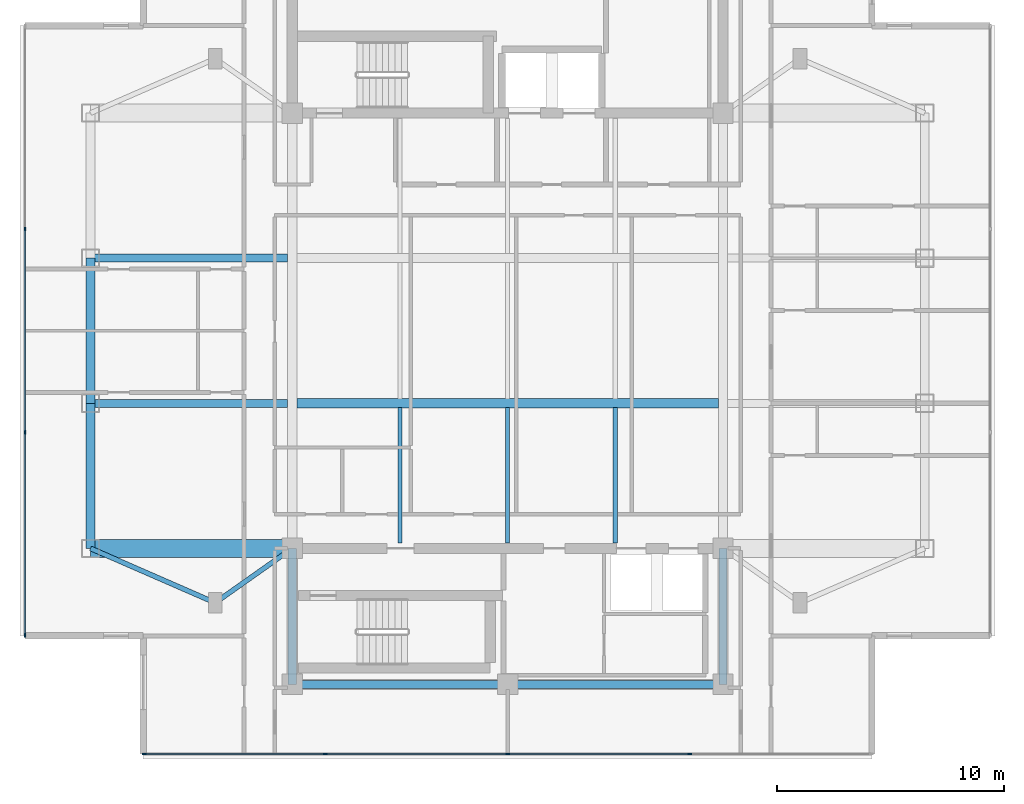
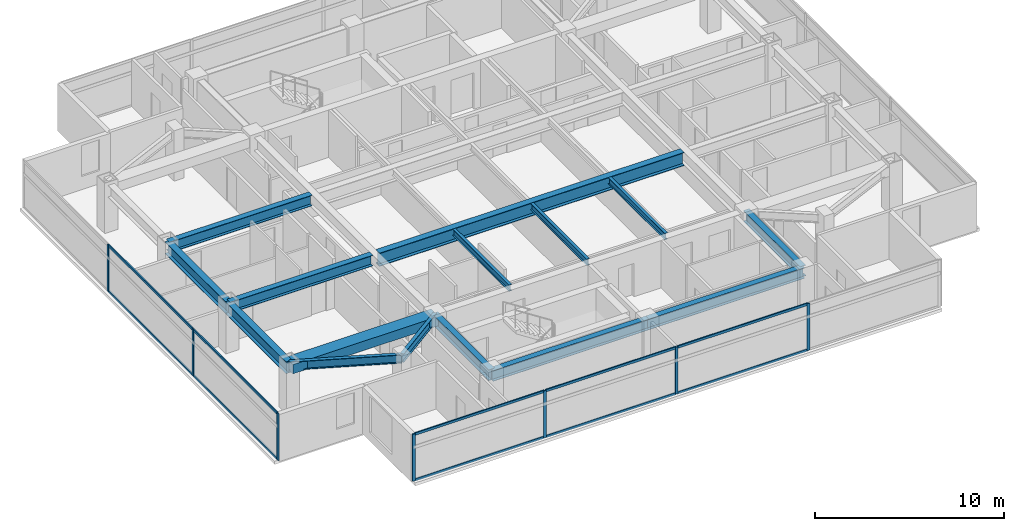
# One storey, part 2 of 21: 17 members, 15 beams, 2 elements without a shape of their own.
"""IFC4 building model written with IfcOpenShell, lengths in metres."""

import ifcopenshell
import ifcopenshell.guid

model = None  # the IFC model being written
_history = None  # IfcOwnerHistory: only IFC2X3 demands one
_inside = {}  # id of a spatial element -> (the spatial element, [elements in it])
_under = {}  # id of a project, library or spatial element -> (it, [spatial elements below it])
_declared = {}  # id of a project -> (the project, [libraries it declares])
_typed = {}  # id of a type object -> (the type object, [elements of that type])
_made_of = {}  # id of a material, layer set ... -> (it, [elements and type objects made of it])


def new_model(schema):
    """Start an empty IFC model of exactly this schema.

    Asked for "IFC4X3", IfcOpenShell would pick the latest addendum, in which some entities
    have other attributes; the version numbers below select the first issue.
    IFC2X3 requires an IfcOwnerHistory on every rooted entity: one is made here for all.
    """
    global model, _history
    if schema == "IFC4X3":
        model = ifcopenshell.file(schema_version=(4, 3, 0, 0))
    else:
        model = ifcopenshell.file(schema=schema)
    _inside.clear()
    _under.clear()
    _declared.clear()
    _typed.clear()
    _made_of.clear()
    _history = None
    if model.schema == "IFC2X3":
        org = make("IfcOrganization", Name="unknown")
        user = make(
            "IfcPersonAndOrganization",
            ThePerson=make("IfcPerson", FamilyName="unknown"),
            TheOrganization=org,
        )
        app = make(
            "IfcApplication",
            ApplicationDeveloper=org,
            Version="unknown",
            ApplicationFullName="unknown",
            ApplicationIdentifier="unknown",
        )
        _history = make(
            "IfcOwnerHistory",
            OwningUser=user,
            OwningApplication=app,
            ChangeAction="ADDED",
            CreationDate=0,
        )
    return model


def make(cls, **values):
    """One entity of the class cls with the attributes given. An attribute that is None is left unset."""
    return model.create_entity(
        cls, **{name: value for name, value in values.items() if value is not None}
    )


def rooted(cls, **values):
    """An entity with a GlobalId (a new one), such as an element, a storey or a relation."""
    return make(cls, GlobalId=ifcopenshell.guid.new(), OwnerHistory=_history, **values)


def si_unit(unit_type, name, prefix=None):
    """IfcSIUnit, for example si_unit("LENGTHUNIT", "METRE", prefix="MILLI")."""
    return make("IfcSIUnit", UnitType=unit_type, Prefix=prefix, Name=name)


def assignment(units):
    """IfcUnitAssignment: the units of a project."""
    return None if units is None else make("IfcUnitAssignment", Units=units)


def point(xyz):
    """IfcCartesianPoint."""
    return None if xyz is None else make("IfcCartesianPoint", Coordinates=xyz)


def direction(xyz):
    """IfcDirection."""
    return None if xyz is None else make("IfcDirection", DirectionRatios=xyz)


def frame(location, z_axis=None, x_axis=None):
    """IfcAxis2Placement3D, a coordinate frame: its origin and axes. An axis left out is left unset."""
    return make(
        "IfcAxis2Placement3D",
        Location=point(location),
        Axis=direction(z_axis),
        RefDirection=direction(x_axis),
    )


def frame_2d(location, x_axis=None):
    """IfcAxis2Placement2D, a coordinate frame in the plane: its origin and x axis."""
    return make(
        "IfcAxis2Placement2D", Location=point(location), RefDirection=direction(x_axis)
    )


def origin():
    """The frame at (0, 0, 0) with its axes left unset."""
    return frame((0.0, 0.0, 0.0))


def origin_2d():
    """The frame at (0, 0) in the plane with its x axis left unset."""
    return frame_2d((0.0, 0.0))


def place(relative_to, where):
    """IfcLocalPlacement: puts the frame where relative to a parent placement (None: the world)."""
    return make(
        "IfcLocalPlacement", PlacementRelTo=relative_to, RelativePlacement=where
    )


def context(
    kind, dimensions, precision=None, world=None, true_north=None, identifier=None
):
    """IfcGeometricRepresentationContext, for example the 3D "Model" context."""
    return make(
        "IfcGeometricRepresentationContext",
        ContextIdentifier=identifier,
        ContextType=kind,
        CoordinateSpaceDimension=dimensions,
        Precision=precision,
        WorldCoordinateSystem=world,
        TrueNorth=true_north,
    )


def subcontext(parent, identifier, kind, view, scale=None):
    """IfcGeometricRepresentationSubContext, for example "Body" below "Model"."""
    return make(
        "IfcGeometricRepresentationSubContext",
        ContextIdentifier=identifier,
        ContextType=kind,
        ParentContext=parent,
        TargetScale=scale,
        TargetView=view,
    )


def project(units=None, contexts=None):
    """IfcProject with its units and contexts."""
    return rooted(
        "IfcProject",
        Name="project",
        RepresentationContexts=contexts,
        UnitsInContext=assignment(units),
    )


def spatial(cls, under=None, at=None, **own):
    """A site, building, storey or space (cls), placed at a placement, below another one or the project."""
    s = rooted(cls, ObjectPlacement=at, **own)
    if under is not None:
        _under.setdefault(under.id(), (under, []))[1].append(s)
    return s


def profile(cls, at=None, kind="AREA", **sizes):
    """A parametric profile (cls). Its sizes go by their IFC names, for example OverallWidth=200.0."""
    return make(cls, ProfileType=kind, Position=at, **sizes)


def rectangle(**sizes):
    """IfcRectangleProfileDef."""
    return profile("IfcRectangleProfileDef", **sizes)


def i_section(**sizes):
    """IfcIShapeProfileDef."""
    return profile("IfcIShapeProfileDef", **sizes)


def extrude(swept, where, along, depth):
    """IfcExtrudedAreaSolid: the profile swept, set in the frame where, extruded along a direction by depth."""
    return make(
        "IfcExtrudedAreaSolid",
        SweptArea=swept,
        Position=where,
        ExtrudedDirection=direction(along),
        Depth=depth,
    )


def shape(context_of_items, identifier, shape_type, items):
    """IfcShapeRepresentation: the items that make up one representation, for example the "Body"."""
    return make(
        "IfcShapeRepresentation",
        ContextOfItems=context_of_items,
        RepresentationIdentifier=identifier,
        RepresentationType=shape_type,
        Items=items,
    )


def material(Name=None, Category=None):
    """IfcMaterial."""
    return make("IfcMaterial", Name=Name, Category=Category)


def material_profile(
    of_material, cross_section, Name=None, Category=None, Priority=None
):
    """IfcMaterialProfile: a cross section and its material."""
    return make(
        "IfcMaterialProfile",
        Name=Name,
        Material=of_material,
        Profile=cross_section,
        Priority=Priority,
        Category=Category,
    )


def profile_set(profiles, Name=None, composite=None):
    """IfcMaterialProfileSet."""
    return make(
        "IfcMaterialProfileSet",
        Name=Name,
        MaterialProfiles=profiles,
        CompositeProfile=composite,
    )


def made_of(thing, what):
    """Note that an element or type object is made of a material, layer set ...; save() writes the relation."""
    if what is not None:
        _made_of.setdefault(what.id(), (what, []))[1].append(thing)
    return thing


def type_object(cls, material=None, **own):
    """A type object (cls), such as IfcWallType, which elements share."""
    return made_of(rooted(cls, **own), material)


def element(
    cls,
    number,
    at=None,
    inside=None,
    cuts=None,
    type_object=None,
    material=None,
    context=None,
    identifier="Body",
    shape_type=None,
    held_by="IfcProductDefinitionShape",
    body=None,
    shapes=None,
    **own,
):
    """One element of the class cls, such as IfcWall. Its Tag is "e" and its number.

    at: its placement. inside: the storey or other place that contains it. cuts: it is an
    opening in that element (IfcRelVoidsElement). A single representation is given by context,
    identifier, shape_type and body (its items); several are given by shapes. held_by: the class
    of the entity that holds the representations. save() writes the other relations.
    """
    e = rooted(cls, Tag="e%d" % number, ObjectPlacement=at, **own)
    if body is not None:
        shapes = [shape(context, identifier, shape_type, body)]
    if shapes is not None:
        e.Representation = make(held_by, Representations=shapes)
    if inside is not None:
        _inside.setdefault(inside.id(), (inside, []))[1].append(e)
    if cuts is not None:
        rooted(
            "IfcRelVoidsElement", RelatingBuildingElement=cuts, RelatedOpeningElement=e
        )
    if type_object is not None:
        _typed.setdefault(type_object.id(), (type_object, []))[1].append(e)
    return made_of(e, material)


def aggregate(whole, parts):
    """IfcRelAggregates: a whole, such as a stair, and the parts it consists of."""
    return rooted("IfcRelAggregates", RelatingObject=whole, RelatedObjects=parts)


def save(model, path):
    """Write the relations noted so far, then the file.

    IfcRelAggregates (storeys below a building ...), IfcRelContainedInSpatialStructure (elements
    in a storey), IfcRelDefinesByType, IfcRelAssociatesMaterial and IfcRelDeclares: one each for
    every whole, place, type object, material and project.
    """
    for whole, parts in _under.values():
        aggregate(whole, parts)
    for where, things in _inside.values():
        rooted(
            "IfcRelContainedInSpatialStructure",
            RelatedElements=things,
            RelatingStructure=where,
        )
    for kind, things in _typed.values():
        rooted("IfcRelDefinesByType", RelatedObjects=things, RelatingType=kind)
    for what, things in _made_of.values():
        rooted("IfcRelAssociatesMaterial", RelatedObjects=things, RelatingMaterial=what)
    for by, libraries in _declared.values():
        rooted("IfcRelDeclares", RelatingContext=by, RelatedDefinitions=libraries)
    model.write(path)


model = new_model("IFC4")

# Units and contexts
model_context = context("Model", 3, precision=1e-05, world=origin(), true_north=direction((0.0, 1.0)))
body_context = subcontext(model_context, "Body", "Model", "MODEL_VIEW")
ifc_project = project(units=[si_unit("LENGTHUNIT", "METRE"), si_unit("AREAUNIT", "SQUARE_METRE"), si_unit("VOLUMEUNIT", "CUBIC_METRE"), si_unit("PLANEANGLEUNIT", "RADIAN"), si_unit("MASSUNIT", "GRAM", prefix="KILO")], contexts=[model_context])

# Site, building, storey
site_placement = place(None, origin())
site = spatial("IfcSite", under=ifc_project, at=site_placement, CompositionType="ELEMENT")
building_placement = place(site_placement, origin())
building = spatial("IfcBuilding", under=site, at=building_placement, Name="Mirazonda Arch Towers", CompositionType="ELEMENT")
storey_placement = place(building_placement, frame((0.0, 0.0, 206.39990234375)))
storey = spatial("IfcBuildingStorey", under=building, at=storey_placement, Name="L59", CompositionType="ELEMENT", Elevation=206.39990234375)

# Beams
ifc_material_1 = material(Name="Steel ASTM A992 Grade 50", Category="steel")
ifc_material_profile_1 = material_profile(ifc_material_1, i_section(OverallWidth=0.381103515625, OverallDepth=0.77294921875, WebThickness=0.0166015625, FlangeThickness=0.027099609375, at=origin_2d()), Name="W30X173")
ifc_profile_set_1 = profile_set([ifc_material_profile_1], Name="Steel ASTM A992 Grade 50")
beam_type_1 = type_object("IfcBeamType", Name="BM-EXT-W30X173", PredefinedType="USERDEFINED", material=ifc_profile_set_1)
beam_1_placement = place(storey_placement, frame((2.10009765625, 18.39990234375, 2.66357421875), z_axis=(0.0, 1.0, 0.0), x_axis=(-1.0, 0.0, 0.0)))
element("IfcBeam", 1, at=beam_1_placement, inside=storey, type_object=beam_type_1, Name="L59 Floor Beam BM-T1-L59-NS-W-18", ObjectType="GIRDER", PredefinedType="USERDEFINED", context=body_context, shape_type="SweptSolid", body=[
    extrude(i_section(OverallWidth=0.381103515625, OverallDepth=0.77294921875, WebThickness=0.0166015625, FlangeThickness=0.027099609375, at=origin_2d()), origin(), (0.0, 0.0, 1.0), 6.400146484375),
])
beam_2_placement = place(storey_placement, frame((2.10009765625, 24.800048828125, 2.66357421875), z_axis=(0.0, 1.0, 0.0), x_axis=(-1.0, 0.0, 0.0)))
element("IfcBeam", 2, at=beam_2_placement, inside=storey, type_object=beam_type_1, Name="L59 Floor Beam BM-T1-L59-NS-W-24", ObjectType="GIRDER", PredefinedType="USERDEFINED", context=body_context, shape_type="SweptSolid", body=[
    extrude(i_section(OverallWidth=0.381103515625, OverallDepth=0.77294921875, WebThickness=0.0166015625, FlangeThickness=0.027099609375, at=origin_2d()), origin(), (0.0, 0.0, 1.0), 6.39990234375),
])
ifc_material_profile_2 = material_profile(ifc_material_1, i_section(OverallWidth=0.180908203125, OverallDepth=0.4169921875, WebThickness=0.010986328125, FlangeThickness=0.018310546875, at=origin_2d()), Name="W16X57")
ifc_profile_set_2 = profile_set([ifc_material_profile_2], Name="Steel ASTM A992 Grade 50")
beam_type_2 = type_object("IfcBeamType", Name="BM-INT-W16X57", PredefinedType="JOIST", material=ifc_profile_set_2)
for number, where, z_axis, x_axis, name in (
    (3, (15.75, 18.639892578125, 2.841552734375), (0.0, 1.0, 0.0), (-1.0, 0.0, 0.0), "L59 Floor Beam BM-T1-L59-J-157-18"),
    (4, (20.5, 18.639892578125, 2.841552734375), (0.0, 1.0, 0.0), (-1.0, 0.0, 0.0), "L59 Floor Beam BM-T1-L59-J-205-18"),
    (5, (25.25, 18.639892578125, 2.841552734375), (0.0, 1.0, 0.0), (-1.0, 0.0, 0.0), "L59 Floor Beam BM-T1-L59-J-252-18"),
):
    element("IfcBeam", number, at=place(storey_placement, frame(where, z_axis=z_axis, x_axis=x_axis)), inside=storey, type_object=beam_type_2, Name=name, PredefinedType="JOIST", context=body_context, shape_type="SweptSolid", body=[
        extrude(i_section(OverallWidth=0.180908203125, OverallDepth=0.4169921875, WebThickness=0.010986328125, FlangeThickness=0.018310546875, at=origin_2d()), origin(), (0.0, 0.0, 1.0), 5.964111328125),
    ])
ifc_material_profile_3 = material_profile(ifc_material_1, i_section(OverallWidth=0.214111328125, OverallDepth=0.549072265625, WebThickness=0.0146484375, FlangeThickness=0.023681640625, at=origin_2d()), Name="W21X93")
ifc_profile_set_3 = profile_set([ifc_material_profile_3], Name="Steel ASTM A992 Grade 50")
beam_type_3 = type_object("IfcBeamType", Name="BM-INT-W21X93", PredefinedType="BEAM", material=ifc_profile_set_3)
beam_3_placement = place(storey_placement, frame((7.60009765625, 16.0, 2.775634765625), z_axis=(0.816971114901, 0.576678591087, 0.0), x_axis=(-0.576678591087, 0.816971114901, 0.0)))
element("IfcBeam", 6, at=beam_3_placement, inside=storey, type_object=beam_type_3, Name="L59 Floor Beam BM-T1-L59-PL-SW1", PredefinedType="BEAM", context=body_context, shape_type="SweptSolid", body=[
    extrude(i_section(OverallWidth=0.214111328125, OverallDepth=0.549072265625, WebThickness=0.0146484375, FlangeThickness=0.023681640625, at=origin_2d()), origin(), (0.0, 0.0, 1.0), 4.16162109375),
])
beam_4_placement = place(storey_placement, frame((7.60009765625, 16.0, 2.775634765625), z_axis=(-0.916545343703, 0.399930785183, 0.0), x_axis=(-0.399930785183, -0.916545343703, 0.0)))
element("IfcBeam", 7, at=beam_4_placement, inside=storey, type_object=beam_type_3, Name="L59 Floor Beam BM-T1-L59-PL-SW2", PredefinedType="BEAM", context=body_context, shape_type="SweptSolid", body=[
    extrude(i_section(OverallWidth=0.214111328125, OverallDepth=0.549072265625, WebThickness=0.0146484375, FlangeThickness=0.023681640625, at=origin_2d()), origin(), (0.0, 0.0, 1.0), 6.000732421875),
])
ifc_material_profile_4 = material_profile(ifc_material_1, i_section(OverallWidth=0.35498046875, OverallDepth=0.696044921875, WebThickness=0.015380859375, FlangeThickness=0.02490234375, at=origin_2d()), Name="W27X146")
ifc_profile_set_4 = profile_set([ifc_material_profile_4], Name="Steel ASTM A992 Grade 50")
beam_type_4 = type_object("IfcBeamType", Name="BM-INT-W27X146", PredefinedType="BEAM", material=ifc_profile_set_4)
for number, where, z_axis, x_axis, name in (
    (8, (2.10009765625, 24.800048828125, 2.7021484375), (1.0, 0.0, 0.0), (0.0, 1.0, 0.0), "L59 Floor Beam BM-T1-L59-GW2"),
    (9, (2.10009765625, 31.199951171875, 2.7021484375), (1.0, 0.0, 0.0), (0.0, 1.0, 0.0), "L59 Floor Beam BM-T1-L59-GW3"),
):
    element("IfcBeam", number, at=place(storey_placement, frame(where, z_axis=z_axis, x_axis=x_axis)), inside=storey, type_object=beam_type_4, Name=name, PredefinedType="BEAM", context=body_context, shape_type="SweptSolid", body=[
        extrude(i_section(OverallWidth=0.35498046875, OverallDepth=0.696044921875, WebThickness=0.015380859375, FlangeThickness=0.02490234375, at=origin_2d()), origin(), (0.0, 0.0, 1.0), 8.699951171875),
    ])
for number, where, z_axis, x_axis, name in (
    (10, (11.0, 12.39990234375, 2.7021484375), (1.0, 0.0, 0.0), (0.0, 1.0, 0.0), "L59 Floor Beam BM-T1-L59-CS1"),
    (11, (20.5, 12.39990234375, 2.7021484375), (1.0, 0.0, 0.0), (0.0, 1.0, 0.0), "L59 Floor Beam BM-T1-L59-CS2"),
):
    element("IfcBeam", number, at=place(storey_placement, frame(where, z_axis=z_axis, x_axis=x_axis)), inside=storey, type_object=beam_type_4, Name=name, PredefinedType="BEAM", context=body_context, shape_type="SweptSolid", body=[
        extrude(i_section(OverallWidth=0.35498046875, OverallDepth=0.696044921875, WebThickness=0.015380859375, FlangeThickness=0.02490234375, at=origin_2d()), origin(), (0.0, 0.0, 1.0), 9.5),
    ])
for number, where, z_axis, x_axis, name in (
    (12, (11.0, 12.39990234375, 2.7021484375), (0.0, 1.0, 0.0), (-1.0, 0.0, 0.0), "L59 Floor Beam BM-T1-L59-CSW"),
    (13, (30.0, 12.39990234375, 2.7021484375), (0.0, 1.0, 0.0), (-1.0, 0.0, 0.0), "L59 Floor Beam BM-T1-L59-CSE"),
):
    element("IfcBeam", number, at=place(storey_placement, frame(where, z_axis=z_axis, x_axis=x_axis)), inside=storey, type_object=beam_type_4, Name=name, PredefinedType="BEAM", context=body_context, shape_type="SweptSolid", body=[
        extrude(i_section(OverallWidth=0.35498046875, OverallDepth=0.696044921875, WebThickness=0.015380859375, FlangeThickness=0.02490234375, at=origin_2d()), origin(), (0.0, 0.0, 1.0), 6.0),
    ])
ifc_material_profile_5 = material_profile(ifc_material_1, i_section(OverallWidth=0.39990234375, OverallDepth=0.85595703125, WebThickness=0.018310546875, FlangeThickness=0.029296875, at=origin_2d()), Name="W33X201")
ifc_profile_set_5 = profile_set([ifc_material_profile_5], Name="Steel ASTM A992 Grade 50")
beam_type_5 = type_object("IfcBeamType", Name="BM-INT-W33X201", PredefinedType="USERDEFINED", material=ifc_profile_set_5)
beam_5_placement = place(storey_placement, frame((11.199951171875, 24.800048828125, 2.6220703125), z_axis=(1.0, 0.0, 0.0), x_axis=(0.0, 1.0, 0.0)))
element("IfcBeam", 14, at=beam_5_placement, inside=storey, type_object=beam_type_5, Name="L59 Floor Beam BM-T1-L59-GC2", ObjectType="GIRDER", PredefinedType="USERDEFINED", context=body_context, shape_type="SweptSolid", body=[
    extrude(i_section(OverallWidth=0.39990234375, OverallDepth=0.85595703125, WebThickness=0.018310546875, FlangeThickness=0.029296875, at=origin_2d()), origin(), (0.0, 0.0, 1.0), 18.60009765625),
])
ifc_material_2 = material(Name="Concrete C60/75", Category="concrete")
ifc_material_profile_6 = material_profile(ifc_material_2, rectangle(XDim=0.800048828125, YDim=0.60009765625, at=origin_2d()), Name="RCCB800x600")
ifc_profile_set_6 = profile_set([ifc_material_profile_6], Name="Concrete C60/75")
beam_type_6 = type_object("IfcBeamType", Name="CB-INT-RCCB800x600", PredefinedType="SPANDREL", material=ifc_profile_set_6)
beam_6_placement = place(storey_placement, frame((2.10009765625, 18.39990234375, 2.75), z_axis=(1.0, 0.0, 0.0), x_axis=(0.0, 1.0, 0.0)))
element("IfcBeam", 15, at=beam_6_placement, inside=storey, type_object=beam_type_6, Name="L59 Floor Beam CBC-T1-L59-SW", PredefinedType="SPANDREL", context=body_context, shape_type="SweptSolid", body=[
    extrude(rectangle(XDim=0.800048828125, YDim=0.60009765625, at=origin_2d()), origin(), (0.0, 0.0, 1.0), 8.89990234375),
])

# Curtain wall, members
ifc_material_3 = material(Name="Anodised Aluminium and Low-E Glass", Category="aluminium")
curtain_wall_type = type_object("IfcCurtainWallType", Name="CW-RES-UNIT", PredefinedType="NOTDEFINED", material=ifc_material_3)
curtain_wall_1_placement = place(storey_placement, origin())
curtain_wall_1 = element("IfcCurtainWall", 16, at=curtain_wall_1_placement, inside=storey, type_object=curtain_wall_type, Name="L59 T1 S Facade CW-L59-T1-S", PredefinedType="NOTDEFINED")
ifc_material_4 = material(Name="Anodised Aluminium Alloy", Category="aluminium")
ifc_material_profile_7 = material_profile(ifc_material_4, rectangle(XDim=0.074951171875, YDim=0.175048828125, at=origin_2d()), Name="ALU-MULL-75x175")
ifc_profile_set_7 = profile_set([ifc_material_profile_7], Name="Anodised Aluminium Alloy")
member_type_1 = type_object("IfcMemberType", Name="MULL-CW-RES-UNIT", PredefinedType="MULLION", material=ifc_profile_set_7)
member_1_placement = place(storey_placement, frame((28.53759765625, 9.323974609375, 0.0), z_axis=(0.0, 0.0, 1.0), x_axis=(0.0, -1.0, 0.0)))
member_1 = element("IfcMember", 17, at=member_1_placement, type_object=member_type_1, Name="CW-104 mullion 2", PredefinedType="MULLION", context=body_context, shape_type="SweptSolid", body=[
    extrude(rectangle(XDim=0.074951171875, YDim=0.175048828125, at=origin_2d()), origin(), (0.0, 0.0, 1.0), 3.030029296875),
])
member_2_placement = place(storey_placement, frame((20.5, 9.323974609375, 0.0), z_axis=(0.0, 0.0, 1.0), x_axis=(0.0, -1.0, 0.0)))
member_2 = element("IfcMember", 18, at=member_2_placement, type_object=member_type_1, Name="CW-104 mullion 3", PredefinedType="MULLION", context=body_context, shape_type="SweptSolid", body=[
    extrude(rectangle(XDim=0.074951171875, YDim=0.175048828125, at=origin_2d()), origin(), (0.0, 0.0, 1.0), 3.030029296875),
])
member_3_placement = place(storey_placement, frame((12.46240234375, 9.323974609375, 0.0), z_axis=(0.0, 0.0, 1.0), x_axis=(0.0, -1.0, 0.0)))
member_3 = element("IfcMember", 19, at=member_3_placement, type_object=member_type_1, Name="CW-104 mullion 4", PredefinedType="MULLION", context=body_context, shape_type="SweptSolid", body=[
    extrude(rectangle(XDim=0.074951171875, YDim=0.175048828125, at=origin_2d()), origin(), (0.0, 0.0, 1.0), 3.030029296875),
])
member_4_placement = place(storey_placement, frame((4.46240234375, 9.323974609375, 0.0), z_axis=(0.0, 0.0, 1.0), x_axis=(0.0, -1.0, 0.0)))
member_4 = element("IfcMember", 20, at=member_4_placement, type_object=member_type_1, Name="CW-104 mullion 5", PredefinedType="MULLION", context=body_context, shape_type="SweptSolid", body=[
    extrude(rectangle(XDim=0.074951171875, YDim=0.175048828125, at=origin_2d()), origin(), (0.0, 0.0, 1.0), 3.030029296875),
])

curtain_wall_2_placement = place(storey_placement, origin())
curtain_wall_2 = element("IfcCurtainWall", 21, at=curtain_wall_2_placement, inside=storey, type_object=curtain_wall_type, Name="L59 T1 W Facade CW-L59-T1-W", PredefinedType="NOTDEFINED")
member_5_placement = place(storey_placement, frame((-0.7900390625, 32.487060546875, 0.0), z_axis=(0.0, 0.0, 1.0), x_axis=(1.0, 0.0, 0.0)))
member_5 = element("IfcMember", 22, at=member_5_placement, type_object=member_type_1, Name="CW-104 mullion 2", PredefinedType="MULLION", context=body_context, shape_type="SweptSolid", body=[
    extrude(rectangle(XDim=0.074951171875, YDim=0.175048828125, at=origin_2d()), origin(), (0.0, 0.0, 1.0), 3.030029296875),
])
member_6_placement = place(storey_placement, frame((-0.7900390625, 23.512939453125, 0.0), z_axis=(0.0, 0.0, 1.0), x_axis=(1.0, 0.0, 0.0)))
member_6 = element("IfcMember", 23, at=member_6_placement, type_object=member_type_1, Name="CW-104 mullion 3", PredefinedType="MULLION", context=body_context, shape_type="SweptSolid", body=[
    extrude(rectangle(XDim=0.074951171875, YDim=0.175048828125, at=origin_2d()), origin(), (0.0, 0.0, 1.0), 3.030029296875),
])
member_7_placement = place(storey_placement, frame((-0.7900390625, 14.576416015625, 0.0), z_axis=(0.0, 0.0, 1.0), x_axis=(1.0, 0.0, 0.0)))
member_7 = element("IfcMember", 24, at=member_7_placement, type_object=member_type_1, Name="CW-104 mullion 4", PredefinedType="MULLION", context=body_context, shape_type="SweptSolid", body=[
    extrude(rectangle(XDim=0.074951171875, YDim=0.175048828125, at=origin_2d()), origin(), (0.0, 0.0, 1.0), 3.030029296875),
])

# Member
ifc_material_profile_8 = material_profile(ifc_material_4, rectangle(XDim=0.074951171875, YDim=0.155029296875, at=origin_2d()), Name="ALU-TRAN-75x155")
ifc_profile_set_8 = profile_set([ifc_material_profile_8], Name="Anodised Aluminium Alloy")
member_type_2 = type_object("IfcMemberType", Name="TRAN-CW-RES-UNIT", PredefinedType="USERDEFINED", material=ifc_profile_set_8)
member_8_placement = place(storey_placement, frame((28.5, 9.323974609375, 0.03759765625), z_axis=(-1.0, 0.0, 0.0), x_axis=(0.0, -1.0, 0.0)))
member_8 = element("IfcMember", 25, at=member_8_placement, type_object=member_type_2, Name="CW-104 transom 2.1", ObjectType="TRANSOM", PredefinedType="USERDEFINED", context=body_context, shape_type="SweptSolid", body=[
    extrude(rectangle(XDim=0.074951171875, YDim=0.155029296875, at=origin_2d()), origin(), (0.0, 0.0, 1.0), 7.96240234375),
])

member_9_placement = place(storey_placement, frame((28.5, 9.323974609375, 2.99267578125), z_axis=(-1.0, 0.0, 0.0), x_axis=(0.0, -1.0, 0.0)))
member_9 = element("IfcMember", 26, at=member_9_placement, type_object=member_type_2, Name="CW-104 transom 2.2", ObjectType="TRANSOM", PredefinedType="USERDEFINED", context=body_context, shape_type="SweptSolid", body=[
    extrude(rectangle(XDim=0.074951171875, YDim=0.155029296875, at=origin_2d()), origin(), (0.0, 0.0, 1.0), 7.96240234375),
])

member_10_placement = place(storey_placement, frame((20.46240234375, 9.323974609375, 0.03759765625), z_axis=(-1.0, 0.0, 0.0), x_axis=(0.0, -1.0, 0.0)))
member_10 = element("IfcMember", 27, at=member_10_placement, type_object=member_type_2, Name="CW-104 transom 3.1", ObjectType="TRANSOM", PredefinedType="USERDEFINED", context=body_context, shape_type="SweptSolid", body=[
    extrude(rectangle(XDim=0.074951171875, YDim=0.155029296875, at=origin_2d()), origin(), (0.0, 0.0, 1.0), 7.96240234375),
])

member_11_placement = place(storey_placement, frame((20.46240234375, 9.323974609375, 2.99267578125), z_axis=(-1.0, 0.0, 0.0), x_axis=(0.0, -1.0, 0.0)))
member_11 = element("IfcMember", 28, at=member_11_placement, type_object=member_type_2, Name="CW-104 transom 3.2", ObjectType="TRANSOM", PredefinedType="USERDEFINED", context=body_context, shape_type="SweptSolid", body=[
    extrude(rectangle(XDim=0.074951171875, YDim=0.155029296875, at=origin_2d()), origin(), (0.0, 0.0, 1.0), 7.96240234375),
])

member_12_placement = place(storey_placement, frame((12.425048828125, 9.323974609375, 0.03759765625), z_axis=(-1.0, 0.0, 0.0), x_axis=(0.0, -1.0, 0.0)))
member_12 = element("IfcMember", 29, at=member_12_placement, type_object=member_type_2, Name="CW-104 transom 4.1", ObjectType="TRANSOM", PredefinedType="USERDEFINED", context=body_context, shape_type="SweptSolid", body=[
    extrude(rectangle(XDim=0.074951171875, YDim=0.155029296875, at=origin_2d()), origin(), (0.0, 0.0, 1.0), 7.925048828125),
])

member_13_placement = place(storey_placement, frame((12.425048828125, 9.323974609375, 2.99267578125), z_axis=(-1.0, 0.0, 0.0), x_axis=(0.0, -1.0, 0.0)))
member_13 = element("IfcMember", 30, at=member_13_placement, type_object=member_type_2, Name="CW-104 transom 4.2", ObjectType="TRANSOM", PredefinedType="USERDEFINED", context=body_context, shape_type="SweptSolid", body=[
    extrude(rectangle(XDim=0.074951171875, YDim=0.155029296875, at=origin_2d()), origin(), (0.0, 0.0, 1.0), 7.925048828125),
])

aggregate(curtain_wall_1, [member_1, member_2, member_3, member_4, member_8, member_9, member_10, member_11, member_12, member_13])

member_14_placement = place(storey_placement, frame((-0.7900390625, 32.449462890625, 0.03759765625), z_axis=(0.0, -1.0, 0.0), x_axis=(1.0, 0.0, 0.0)))
member_14 = element("IfcMember", 31, at=member_14_placement, type_object=member_type_2, Name="CW-104 transom 2.1", ObjectType="TRANSOM", PredefinedType="USERDEFINED", context=body_context, shape_type="SweptSolid", body=[
    extrude(rectangle(XDim=0.074951171875, YDim=0.155029296875, at=origin_2d()), origin(), (0.0, 0.0, 1.0), 8.89892578125),
])

member_15_placement = place(storey_placement, frame((-0.7900390625, 32.449462890625, 2.99267578125), z_axis=(0.0, -1.0, 0.0), x_axis=(1.0, 0.0, 0.0)))
member_15 = element("IfcMember", 32, at=member_15_placement, type_object=member_type_2, Name="CW-104 transom 2.2", ObjectType="TRANSOM", PredefinedType="USERDEFINED", context=body_context, shape_type="SweptSolid", body=[
    extrude(rectangle(XDim=0.074951171875, YDim=0.155029296875, at=origin_2d()), origin(), (0.0, 0.0, 1.0), 8.89892578125),
])

member_16_placement = place(storey_placement, frame((-0.7900390625, 23.4755859375, 0.03759765625), z_axis=(0.0, -1.0, 0.0), x_axis=(1.0, 0.0, 0.0)))
member_16 = element("IfcMember", 33, at=member_16_placement, type_object=member_type_2, Name="CW-104 transom 3.1", ObjectType="TRANSOM", PredefinedType="USERDEFINED", context=body_context, shape_type="SweptSolid", body=[
    extrude(rectangle(XDim=0.074951171875, YDim=0.155029296875, at=origin_2d()), origin(), (0.0, 0.0, 1.0), 8.861572265625),
])

member_17_placement = place(storey_placement, frame((-0.7900390625, 23.4755859375, 2.99267578125), z_axis=(0.0, -1.0, 0.0), x_axis=(1.0, 0.0, 0.0)))
member_17 = element("IfcMember", 34, at=member_17_placement, type_object=member_type_2, Name="CW-104 transom 3.2", ObjectType="TRANSOM", PredefinedType="USERDEFINED", context=body_context, shape_type="SweptSolid", body=[
    extrude(rectangle(XDim=0.074951171875, YDim=0.155029296875, at=origin_2d()), origin(), (0.0, 0.0, 1.0), 8.861572265625),
])

aggregate(curtain_wall_2, [member_5, member_6, member_7, member_14, member_15, member_16, member_17])

save(model, "model.ifc")
